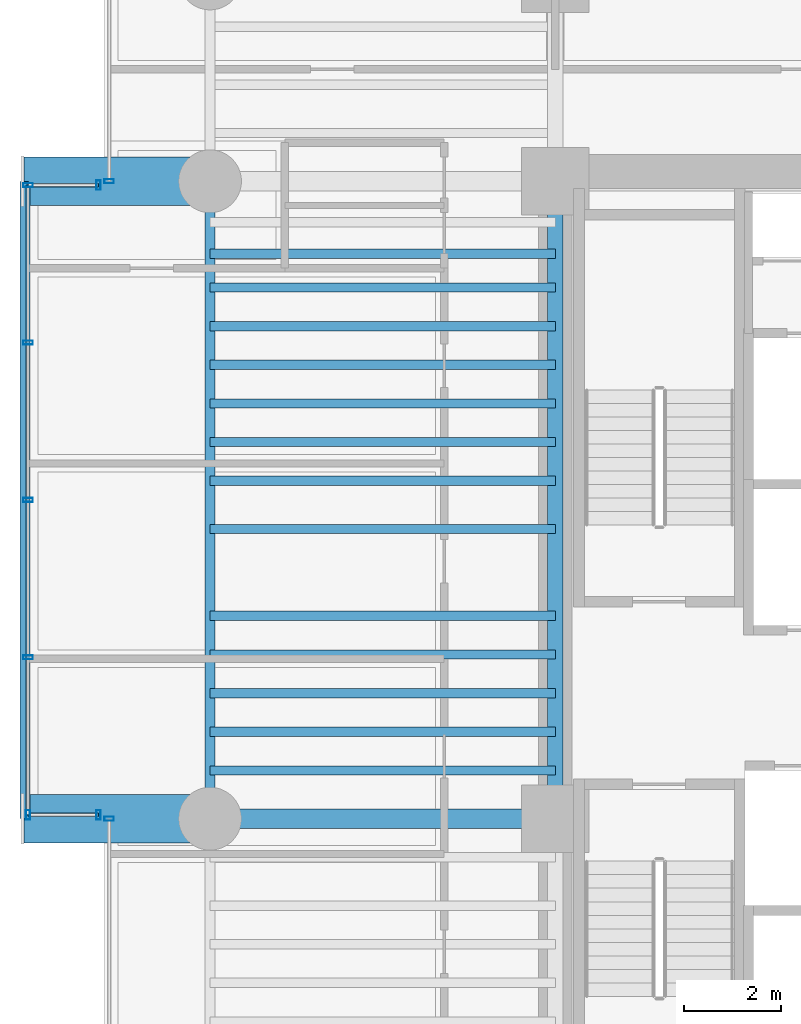
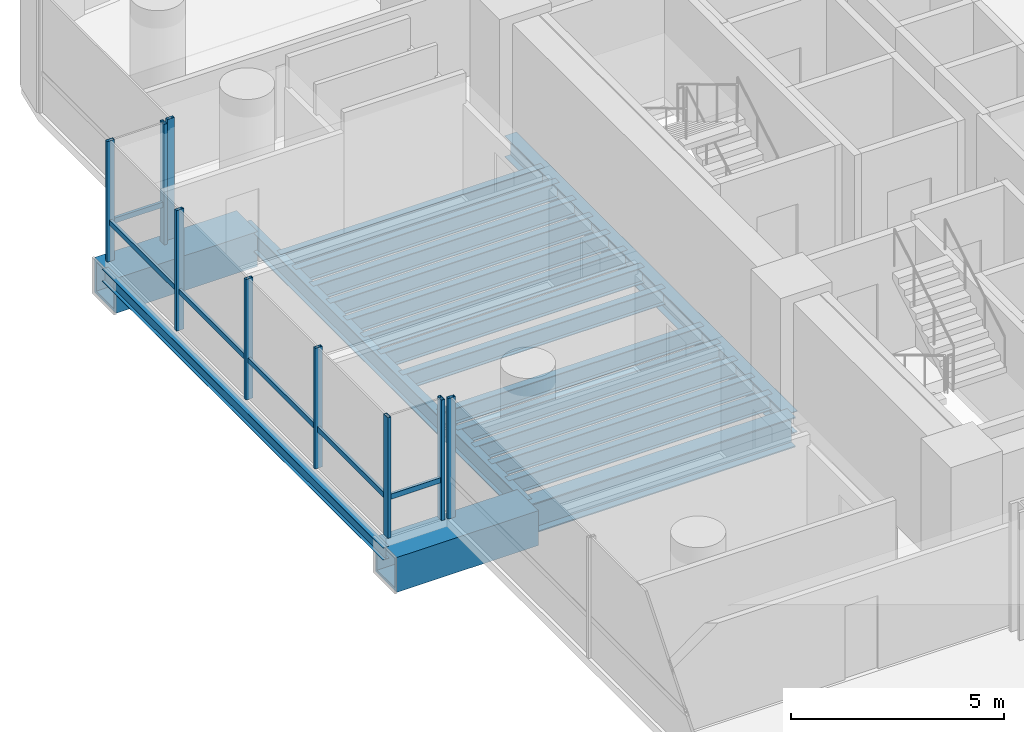
# One storey, part 8 of 38: 19 beams, 12 members, 5 elements without a shape of their own.
"""IFC4 building model written with IfcOpenShell, lengths in metres."""

from ifc_helpers import new_model, si_unit, direction, frame, origin, origin_2d, place, context, subcontext, project, spatial, hollow_rectangle, i_section, extrude, source, transform, mapped, material, material_profile, profile_set, type_object, element, aggregate, save


model = new_model("IFC4")

# Units and contexts
model_context = context("Model", 3, precision=1e-05, world=origin(), true_north=direction((0.0, 1.0)))
body_context = subcontext(model_context, "Body", "Model", "MODEL_VIEW")
ifc_project = project(units=[si_unit("LENGTHUNIT", "METRE"), si_unit("AREAUNIT", "SQUARE_METRE"), si_unit("VOLUMEUNIT", "CUBIC_METRE"), si_unit("PLANEANGLEUNIT", "RADIAN"), si_unit("MASSUNIT", "GRAM", prefix="KILO")], contexts=[model_context])

# Site, building, storey
site_placement = place(None, origin())
site = spatial("IfcSite", under=ifc_project, at=site_placement, CompositionType="ELEMENT")
building_placement = place(site_placement, origin())
building = spatial("IfcBuilding", under=site, at=building_placement, Name="Valdorenza Pilgrim Sanctuary Tower", CompositionType="ELEMENT")
storey_placement = place(building_placement, frame((0.0, 0.0, 37.10009765625)))
storey = spatial("IfcBuildingStorey", under=building, at=storey_placement, Name="L08", CompositionType="ELEMENT", Elevation=37.10009765625)

# Beams
ifc_material_1 = material(Name="Steel ASTM A992 Grade 50", Category="steel")
ifc_material_profile_1 = material_profile(ifc_material_1, i_section(OverallWidth=0.214111328125, OverallDepth=0.549072265625, WebThickness=0.0146484375, FlangeThickness=0.023681640625, at=origin_2d()), Name="W21X93")
ifc_profile_set_1 = profile_set([ifc_material_profile_1], Name="Steel ASTM A992 Grade 50")
beam_type_1 = type_object("IfcBeamType", Name="STR-BM-SPN-W21A", PredefinedType="SPANDREL", material=ifc_profile_set_1)
shared_shape_1 = source(origin(), body_context, "Body", "SweptSolid", [
    extrude(i_section(OverallWidth=0.214111328125, OverallDepth=0.549072265625, WebThickness=0.0146484375, FlangeThickness=0.023681640625, at=origin_2d()), origin(), (0.0, 0.0, 1.0), 13.2001953125),
])
beam_1_placement = place(storey_placement, frame((-29.800048828125, -2.60009765625, -0.5146484375), z_axis=(0.0, 1.0, 0.0), x_axis=(-1.0, 0.0, 0.0)))
element("IfcBeam", 1, at=beam_1_placement, inside=storey, type_object=beam_type_1, Name="L08 Spandrel Beam WA-W-M0N1", PredefinedType="SPANDREL", context=body_context, shape_type="MappedRepresentation", body=[
    mapped(shared_shape_1, transform((0.0, 0.0, 0.0), x_axis=(1.0, 0.0, 0.0), y_axis=(0.0, 1.0, 0.0), z_axis=(0.0, 0.0, 1.0), scale=1.0)),
])
ifc_material_profile_2 = material_profile(ifc_material_1, i_section(OverallWidth=0.323974609375, OverallDepth=0.611083984375, WebThickness=0.0126953125, FlangeThickness=0.01904296875, at=origin_2d()), Name="W24X104")
ifc_profile_set_2 = profile_set([ifc_material_profile_2], Name="Steel ASTM A992 Grade 50")
beam_type_2 = type_object("IfcBeamType", Name="STR-BM-GRD-W24B", PredefinedType="BEAM", material=ifc_profile_set_2)
shared_shape_2 = source(origin(), body_context, "Body", "SweptSolid", [
    extrude(i_section(OverallWidth=0.323974609375, OverallDepth=0.611083984375, WebThickness=0.0126953125, FlangeThickness=0.01904296875, at=origin_2d()), origin(), (0.0, 0.0, 1.0), 13.2001953125),
])
beam_2_placement = place(storey_placement, frame((-22.64990234375, -2.60009765625, -0.545654296875), z_axis=(0.0, 1.0, 0.0), x_axis=(-1.0, 0.0, 0.0)))
element("IfcBeam", 2, at=beam_2_placement, inside=storey, type_object=beam_type_2, Name="L08 Core Tie Girder CA-W-M0N1", PredefinedType="BEAM", context=body_context, shape_type="MappedRepresentation", body=[
    mapped(shared_shape_2, transform((0.0, 0.0, 0.0), x_axis=(1.0, 0.0, 0.0), y_axis=(0.0, 1.0, 0.0), z_axis=(0.0, 0.0, 1.0), scale=1.0)),
])
ifc_material_profile_3 = material_profile(ifc_material_1, i_section(OverallWidth=0.193115234375, OverallDepth=0.466064453125, WebThickness=0.011474609375, FlangeThickness=0.01904296875, at=origin_2d()), Name="W18X65")
ifc_profile_set_3 = profile_set([ifc_material_profile_3], Name="Steel ASTM A992 Grade 50")
beam_type_3 = type_object("IfcBeamType", Name="STR-BM-JST-W18A", PredefinedType="JOIST", material=ifc_profile_set_3)
shared_shape_3 = source(origin(), body_context, "Body", "SweptSolid", [
    extrude(i_section(OverallWidth=0.193115234375, OverallDepth=0.466064453125, WebThickness=0.011474609375, FlangeThickness=0.01904296875, at=origin_2d()), origin(), (0.0, 0.0, 1.0), 7.150146484375),
])
for number, where, z_axis, x_axis, name in (
    (3, (-29.800048828125, -1.60009765625, -0.47314453125), (1.0, 0.0, 0.0), (0.0, 1.0, 0.0), "L08 Composite Floor Joist JST-WA-10"),
    (4, (-29.800048828125, -0.800048828125, -0.47314453125), (1.0, 0.0, 0.0), (0.0, 1.0, 0.0), "L08 Composite Floor Joist JST-WA-11"),
    (5, (-29.800048828125, 0.0, -0.47314453125), (1.0, 0.0, 0.0), (0.0, 1.0, 0.0), "L08 Composite Floor Joist JST-WA-12"),
    (6, (-29.800048828125, 0.800048828125, -0.47314453125), (1.0, 0.0, 0.0), (0.0, 1.0, 0.0), "L08 Composite Floor Joist JST-WA-13"),
    (7, (-29.800048828125, 1.60009765625, -0.47314453125), (1.0, 0.0, 0.0), (0.0, 1.0, 0.0), "L08 Composite Floor Joist JST-WA-14"),
    (8, (-29.800048828125, 3.39990234375, -0.47314453125), (1.0, 0.0, 0.0), (0.0, 1.0, 0.0), "L08 Composite Floor Joist JST-WA-15"),
    (9, (-29.800048828125, 4.39990234375, -0.47314453125), (1.0, 0.0, 0.0), (0.0, 1.0, 0.0), "L08 Composite Floor Joist JST-WA-16"),
    (10, (-29.800048828125, 5.199951171875, -0.47314453125), (1.0, 0.0, 0.0), (0.0, 1.0, 0.0), "L08 Composite Floor Joist JST-WA-17"),
    (11, (-29.800048828125, 6.0, -0.47314453125), (1.0, 0.0, 0.0), (0.0, 1.0, 0.0), "L08 Composite Floor Joist JST-WA-18"),
    (12, (-29.800048828125, 6.800048828125, -0.47314453125), (1.0, 0.0, 0.0), (0.0, 1.0, 0.0), "L08 Composite Floor Joist JST-WA-19"),
    (13, (-29.800048828125, 7.60009765625, -0.47314453125), (1.0, 0.0, 0.0), (0.0, 1.0, 0.0), "L08 Composite Floor Joist JST-WA-20"),
    (14, (-29.800048828125, 8.39990234375, -0.47314453125), (1.0, 0.0, 0.0), (0.0, 1.0, 0.0), "L08 Composite Floor Joist JST-WA-21"),
    (15, (-29.800048828125, 9.10009765625, -0.47314453125), (1.0, 0.0, 0.0), (0.0, 1.0, 0.0), "L08 Composite Floor Joist JST-WA-22"),
):
    element("IfcBeam", number, at=place(storey_placement, frame(where, z_axis=z_axis, x_axis=x_axis)), inside=storey, type_object=beam_type_3, Name=name, PredefinedType="JOIST", context=body_context, shape_type="MappedRepresentation", body=[
        mapped(shared_shape_3, transform((0.0, 0.0, 0.0), x_axis=(1.0, 0.0, 0.0), y_axis=(0.0, 1.0, 0.0), z_axis=(0.0, 0.0, 1.0), scale=1.0)),
    ])
ifc_material_2 = material(Name="Steel ASTM A572 Grade 42", Category="steel")
ifc_material_profile_4 = material_profile(ifc_material_2, hollow_rectangle(XDim=1.0, YDim=1.0, WallThickness=0.080078125, at=origin_2d()), Name="BOX 1000x1000x80")
ifc_profile_set_4 = profile_set([ifc_material_profile_4], Name="Steel ASTM A572 Grade 42")
beam_type_4 = type_object("IfcBeamType", Name="STR-BM-PROW-CANT", PredefinedType="BEAM", material=ifc_profile_set_4)
shared_shape_4 = source(origin(), body_context, "Body", "SweptSolid", [
    extrude(hollow_rectangle(XDim=1.0, YDim=1.0, WallThickness=0.080078125, at=origin_2d()), origin(), (0.0, 0.0, 1.0), 3.849853515625),
])
for number, where, z_axis, x_axis, name in (
    (16, (-29.800048828125, 10.60009765625, -0.739990234375), (-1.0, 0.0, 0.0), (0.0, -1.0, 0.0), "L08 Glass Box Cantilever Beam BOX-WA-L08-CT-N"),
    (17, (-29.800048828125, -2.60009765625, -0.739990234375), (-1.0, 0.0, 0.0), (0.0, -1.0, 0.0), "L08 Glass Box Cantilever Beam BOX-WA-L08-CT-S"),
):
    element("IfcBeam", number, at=place(storey_placement, frame(where, z_axis=z_axis, x_axis=x_axis)), inside=storey, type_object=beam_type_4, Name=name, PredefinedType="BEAM", context=body_context, shape_type="MappedRepresentation", body=[
        mapped(shared_shape_4, transform((0.0, 0.0, 0.0), x_axis=(1.0, 0.0, 0.0), y_axis=(0.0, 1.0, 0.0), z_axis=(0.0, 0.0, 1.0), scale=1.0)),
    ])
ifc_material_profile_5 = material_profile(ifc_material_1, i_section(OverallWidth=0.39990234375, OverallDepth=0.862060546875, WebThickness=0.019775390625, FlangeThickness=0.032470703125, at=origin_2d()), Name="W33X221")
ifc_profile_set_5 = profile_set([ifc_material_profile_5], Name="Steel ASTM A992 Grade 50")
beam_type_5 = type_object("IfcBeamType", Name="STR-BM-GRD-W33", PredefinedType="BEAM", material=ifc_profile_set_5)
shared_shape_5 = source(origin(), body_context, "Body", "SweptSolid", [
    extrude(i_section(OverallWidth=0.39990234375, OverallDepth=0.862060546875, WebThickness=0.019775390625, FlangeThickness=0.032470703125, at=origin_2d()), origin(), (0.0, 0.0, 1.0), 7.150146484375),
])
beam_3_placement = place(storey_placement, frame((-29.800048828125, -2.60009765625, -0.671142578125), z_axis=(1.0, 0.0, 0.0), x_axis=(0.0, 1.0, 0.0)))
element("IfcBeam", 18, at=beam_3_placement, inside=storey, type_object=beam_type_5, Name="L08 Floor Girder WA-XW-M0", PredefinedType="BEAM", context=body_context, shape_type="MappedRepresentation", body=[
    mapped(shared_shape_5, transform((0.0, 0.0, 0.0), x_axis=(1.0, 0.0, 0.0), y_axis=(0.0, 1.0, 0.0), z_axis=(0.0, 0.0, 1.0), scale=1.0)),
])
ifc_material_profile_6 = material_profile(ifc_material_1, i_section(OverallWidth=0.1708984375, OverallDepth=0.35107421875, WebThickness=0.0068359375, FlangeThickness=0.009765625, at=origin_2d()), Name="W14X30")
ifc_profile_set_6 = profile_set([ifc_material_profile_6], Name="Steel ASTM A992 Grade 50")
beam_type_6 = type_object("IfcBeamType", Name="STR-BM-BOX-W14", PredefinedType="BEAM", material=ifc_profile_set_6)
shared_shape_6 = source(origin(), body_context, "Body", "SweptSolid", [
    extrude(i_section(OverallWidth=0.1708984375, OverallDepth=0.35107421875, WebThickness=0.0068359375, FlangeThickness=0.009765625, at=origin_2d()), origin(), (0.0, 0.0, 1.0), 13.2001953125),
])
beam_4_placement = place(storey_placement, frame((-33.64990234375, -2.60009765625, -0.41552734375), z_axis=(0.0, 1.0, 0.0), x_axis=(-1.0, 0.0, 0.0)))
element("IfcBeam", 19, at=beam_4_placement, inside=storey, type_object=beam_type_6, Name="L08 Glass Box Edge Beam BOX-WA-L08-F", PredefinedType="BEAM", context=body_context, shape_type="MappedRepresentation", body=[
    mapped(shared_shape_6, transform((0.0, 0.0, 0.0), x_axis=(1.0, 0.0, 0.0), y_axis=(0.0, 1.0, 0.0), z_axis=(0.0, 0.0, 1.0), scale=1.0)),
])

# Curtain wall, member
ifc_material_3 = material(Name="Curtain-wall IGU glazing", Category="glass")
curtain_wall_type = type_object("IfcCurtainWallType", Name="CW-SYS-02", PredefinedType="NOTDEFINED", material=ifc_material_3)
curtain_wall_1_placement = place(storey_placement, origin())
curtain_wall_1 = element("IfcCurtainWall", 20, at=curtain_wall_1_placement, inside=storey, type_object=curtain_wall_type, Name="L08 Curtain Wall CW-L08-1-1S1", PredefinedType="NOTDEFINED")
ifc_material_4 = material(Name="Anodised aluminium AW-6060", Category="aluminium")
ifc_material_profile_7 = material_profile(ifc_material_4, hollow_rectangle(XDim=0.0849609375, YDim=0.199951171875, WallThickness=0.0048828125, at=origin_2d()), Name="ALU-M 200x85x5")
ifc_profile_set_7 = profile_set([ifc_material_profile_7], Name="Anodised aluminium AW-6060")
member_type_1 = type_object("IfcMemberType", Name="CW-MUL-02", PredefinedType="MULLION", material=ifc_profile_set_7)
shared_shape_7 = source(origin(), body_context, "Body", "SweptSolid", [
    extrude(hollow_rectangle(XDim=0.0849609375, YDim=0.199951171875, WallThickness=0.0048828125, at=origin_2d()), origin(), (0.0, 0.0, 1.0), 3.4599609375),
])
member_1_placement = place(storey_placement, frame((-31.889892578125, -2.60009765625, 0.0), z_axis=(0.0, 0.0, 1.0), x_axis=(0.0, 1.0, 0.0)))
member_1 = element("IfcMember", 21, at=member_1_placement, type_object=member_type_1, Name="CW-L08-1-1S1 Mullion 3", PredefinedType="MULLION", context=body_context, shape_type="MappedRepresentation", body=[
    mapped(shared_shape_7, transform((0.0, 0.0, 0.0), x_axis=(1.0, 0.0, 0.0), y_axis=(0.0, 1.0, 0.0), z_axis=(0.0, 0.0, 1.0), scale=1.0)),
])
aggregate(curtain_wall_1, [member_1])

curtain_wall_2_placement = place(storey_placement, origin())
curtain_wall_2 = element("IfcCurtainWall", 22, at=curtain_wall_2_placement, inside=storey, type_object=curtain_wall_type, Name="L08 Curtain Wall CW-L08-1-1S2", PredefinedType="NOTDEFINED")
member_2_placement = place(storey_placement, frame((-31.889892578125, 10.60009765625, 0.0), z_axis=(0.0, 0.0, 1.0), x_axis=(0.0, 1.0, 0.0)))
member_2 = element("IfcMember", 23, at=member_2_placement, type_object=member_type_1, Name="CW-L08-1-1S2 Mullion 1", PredefinedType="MULLION", context=body_context, shape_type="MappedRepresentation", body=[
    mapped(shared_shape_7, transform((0.0, 0.0, 0.0), x_axis=(1.0, 0.0, 0.0), y_axis=(0.0, 1.0, 0.0), z_axis=(0.0, 0.0, 1.0), scale=1.0)),
])
aggregate(curtain_wall_2, [member_2])

# Curtain wall, members
curtain_wall_3_placement = place(storey_placement, origin())
curtain_wall_3 = element("IfcCurtainWall", 24, at=curtain_wall_3_placement, inside=storey, type_object=curtain_wall_type, Name="L08 Curtain Wall CW-L08-BOX-WA-L08-S", PredefinedType="NOTDEFINED")
member_3_placement = place(storey_placement, frame((-32.110107421875, -2.52001953125, 0.0), z_axis=(0.0, 0.0, 1.0), x_axis=(-1.0, 0.0, 0.0)))
member_3 = element("IfcMember", 25, at=member_3_placement, type_object=member_type_1, Name="CW-L08-BOX-WA-L08-S Mullion 1", PredefinedType="MULLION", context=body_context, shape_type="MappedRepresentation", body=[
    mapped(shared_shape_7, transform((0.0, 0.0, 0.0), x_axis=(1.0, 0.0, 0.0), y_axis=(0.0, 1.0, 0.0), z_axis=(0.0, 0.0, 1.0), scale=1.0)),
])
member_4_placement = place(storey_placement, frame((-33.570068359375, -2.52001953125, 0.0), z_axis=(0.0, 0.0, 1.0), x_axis=(-1.0, 0.0, 0.0)))
member_4 = element("IfcMember", 26, at=member_4_placement, type_object=member_type_1, Name="CW-L08-BOX-WA-L08-S Mullion 2", PredefinedType="MULLION", context=body_context, shape_type="MappedRepresentation", body=[
    mapped(shared_shape_7, transform((0.0, 0.0, 0.0), x_axis=(1.0, 0.0, 0.0), y_axis=(0.0, 1.0, 0.0), z_axis=(0.0, 0.0, 1.0), scale=1.0)),
])

curtain_wall_4_placement = place(storey_placement, origin())
curtain_wall_4 = element("IfcCurtainWall", 27, at=curtain_wall_4_placement, inside=storey, type_object=curtain_wall_type, Name="L08 Curtain Wall CW-L08-BOX-WA-L08-F", PredefinedType="NOTDEFINED")
member_5_placement = place(storey_placement, frame((-33.570068359375, 0.739990234375, 0.0), z_axis=(0.0, 0.0, 1.0), x_axis=(0.0, 1.0, 0.0)))
member_5 = element("IfcMember", 28, at=member_5_placement, type_object=member_type_1, Name="CW-L08-BOX-WA-L08-F Mullion 2", PredefinedType="MULLION", context=body_context, shape_type="MappedRepresentation", body=[
    mapped(shared_shape_7, transform((0.0, 0.0, 0.0), x_axis=(1.0, 0.0, 0.0), y_axis=(0.0, 1.0, 0.0), z_axis=(0.0, 0.0, 1.0), scale=1.0)),
])
member_6_placement = place(storey_placement, frame((-33.570068359375, 4.0, 0.0), z_axis=(0.0, 0.0, 1.0), x_axis=(0.0, 1.0, 0.0)))
member_6 = element("IfcMember", 29, at=member_6_placement, type_object=member_type_1, Name="CW-L08-BOX-WA-L08-F Mullion 3", PredefinedType="MULLION", context=body_context, shape_type="MappedRepresentation", body=[
    mapped(shared_shape_7, transform((0.0, 0.0, 0.0), x_axis=(1.0, 0.0, 0.0), y_axis=(0.0, 1.0, 0.0), z_axis=(0.0, 0.0, 1.0), scale=1.0)),
])
member_7_placement = place(storey_placement, frame((-33.570068359375, 7.260009765625, 0.0), z_axis=(0.0, 0.0, 1.0), x_axis=(0.0, 1.0, 0.0)))
member_7 = element("IfcMember", 30, at=member_7_placement, type_object=member_type_1, Name="CW-L08-BOX-WA-L08-F Mullion 4", PredefinedType="MULLION", context=body_context, shape_type="MappedRepresentation", body=[
    mapped(shared_shape_7, transform((0.0, 0.0, 0.0), x_axis=(1.0, 0.0, 0.0), y_axis=(0.0, 1.0, 0.0), z_axis=(0.0, 0.0, 1.0), scale=1.0)),
])
member_8_placement = place(storey_placement, frame((-33.570068359375, 10.52001953125, 0.0), z_axis=(0.0, 0.0, 1.0), x_axis=(0.0, 1.0, 0.0)))
member_8 = element("IfcMember", 31, at=member_8_placement, type_object=member_type_1, Name="CW-L08-BOX-WA-L08-F Mullion 5", PredefinedType="MULLION", context=body_context, shape_type="MappedRepresentation", body=[
    mapped(shared_shape_7, transform((0.0, 0.0, 0.0), x_axis=(1.0, 0.0, 0.0), y_axis=(0.0, 1.0, 0.0), z_axis=(0.0, 0.0, 1.0), scale=1.0)),
])

# Curtain wall, member
curtain_wall_5_placement = place(storey_placement, origin())
curtain_wall_5 = element("IfcCurtainWall", 32, at=curtain_wall_5_placement, inside=storey, type_object=curtain_wall_type, Name="L08 Curtain Wall CW-L08-BOX-WA-L08-N", PredefinedType="NOTDEFINED")
member_9_placement = place(storey_placement, frame((-32.110107421875, 10.52001953125, 0.0), z_axis=(0.0, 0.0, 1.0), x_axis=(1.0, 0.0, 0.0)))
member_9 = element("IfcMember", 33, at=member_9_placement, type_object=member_type_1, Name="CW-L08-BOX-WA-L08-N Mullion 2", PredefinedType="MULLION", context=body_context, shape_type="MappedRepresentation", body=[
    mapped(shared_shape_7, transform((0.0, 0.0, 0.0), x_axis=(1.0, 0.0, 0.0), y_axis=(0.0, 1.0, 0.0), z_axis=(0.0, 0.0, 1.0), scale=1.0)),
])

# Member
ifc_material_profile_8 = material_profile(ifc_material_4, hollow_rectangle(XDim=0.074951171875, YDim=0.14990234375, WallThickness=0.00390625, at=origin_2d()), Name="ALU-T 150x75x4")
ifc_profile_set_8 = profile_set([ifc_material_profile_8], Name="Anodised aluminium AW-6060")
member_type_2 = type_object("IfcMemberType", Name="CW-TRN-02", PredefinedType="USERDEFINED", material=ifc_profile_set_8)
shared_shape_8 = source(origin(), body_context, "Body", "SweptSolid", [
    extrude(hollow_rectangle(XDim=0.074951171875, YDim=0.14990234375, WallThickness=0.00390625, at=origin_2d()), origin(), (0.0, 0.0, 1.0), 1.4599609375),
])
member_10_placement = place(storey_placement, frame((-32.110107421875, -2.52001953125, 1.119873046875), z_axis=(-1.0, 0.0, 0.0), x_axis=(0.0, -1.0, 0.0)))
member_10 = element("IfcMember", 34, at=member_10_placement, type_object=member_type_2, Name="CW-L08-BOX-WA-L08-S Transom 1", ObjectType="TRANSOM", PredefinedType="USERDEFINED", context=body_context, shape_type="MappedRepresentation", body=[
    mapped(shared_shape_8, transform((0.0, 0.0, 0.0), x_axis=(1.0, 0.0, 0.0), y_axis=(0.0, 1.0, 0.0), z_axis=(0.0, 0.0, 1.0), scale=1.0)),
])

aggregate(curtain_wall_3, [member_3, member_4, member_10])

member_11_placement = place(storey_placement, frame((-33.570068359375, 10.52001953125, 1.119873046875), z_axis=(1.0, 0.0, 0.0), x_axis=(0.0, 1.0, 0.0)))
member_11 = element("IfcMember", 35, at=member_11_placement, type_object=member_type_2, Name="CW-L08-BOX-WA-L08-N Transom 1", ObjectType="TRANSOM", PredefinedType="USERDEFINED", context=body_context, shape_type="MappedRepresentation", body=[
    mapped(shared_shape_8, transform((0.0, 0.0, 0.0), x_axis=(1.0, 0.0, 0.0), y_axis=(0.0, 1.0, 0.0), z_axis=(0.0, 0.0, 1.0), scale=1.0)),
])

aggregate(curtain_wall_5, [member_9, member_11])

shared_shape_9 = source(origin(), body_context, "Body", "SweptSolid", [
    extrude(hollow_rectangle(XDim=0.074951171875, YDim=0.14990234375, WallThickness=0.00390625, at=origin_2d()), origin(), (0.0, 0.0, 1.0), 13.0400390625),
])
member_12_placement = place(storey_placement, frame((-33.570068359375, -2.52001953125, 1.119873046875), z_axis=(0.0, 1.0, 0.0), x_axis=(-1.0, 0.0, 0.0)))
member_12 = element("IfcMember", 36, at=member_12_placement, type_object=member_type_2, Name="CW-L08-BOX-WA-L08-F Transom 1", ObjectType="TRANSOM", PredefinedType="USERDEFINED", context=body_context, shape_type="MappedRepresentation", body=[
    mapped(shared_shape_9, transform((0.0, 0.0, 0.0), x_axis=(1.0, 0.0, 0.0), y_axis=(0.0, 1.0, 0.0), z_axis=(0.0, 0.0, 1.0), scale=1.0)),
])

aggregate(curtain_wall_4, [member_5, member_6, member_7, member_8, member_12])

save(model, "model.ifc")
